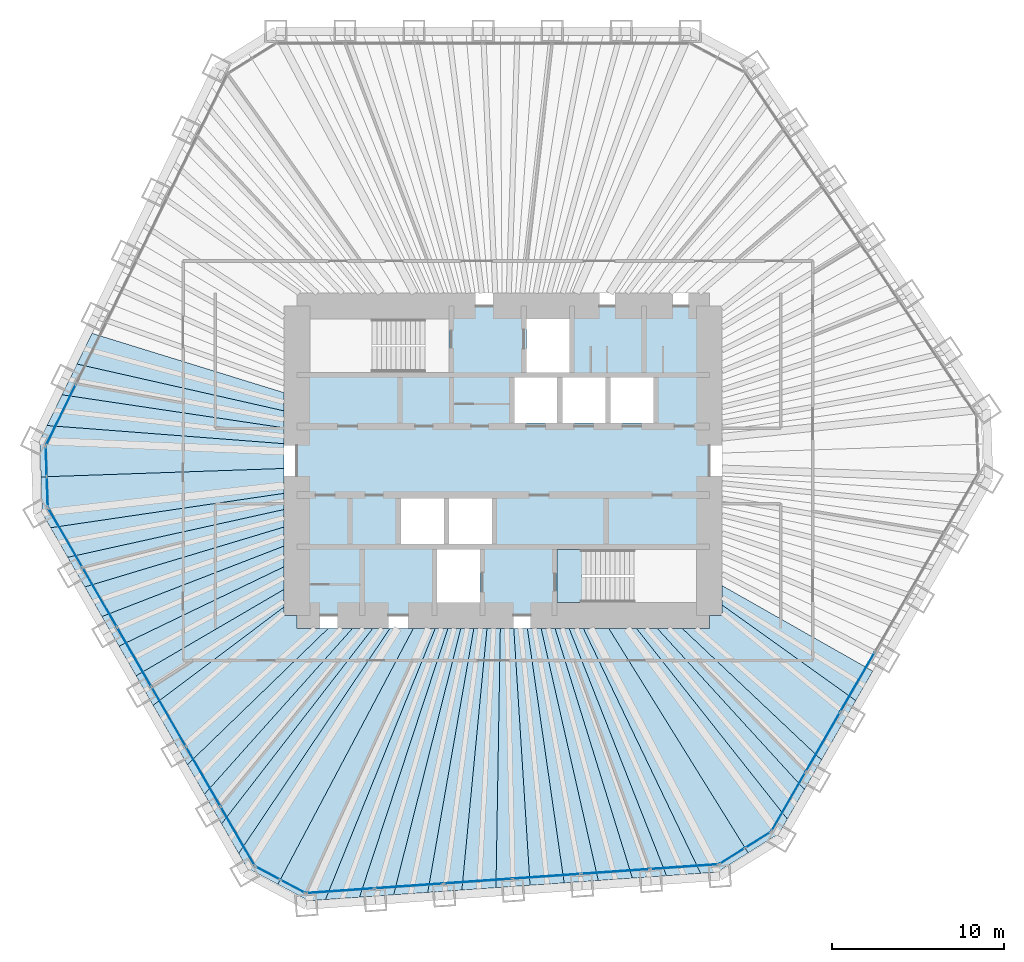
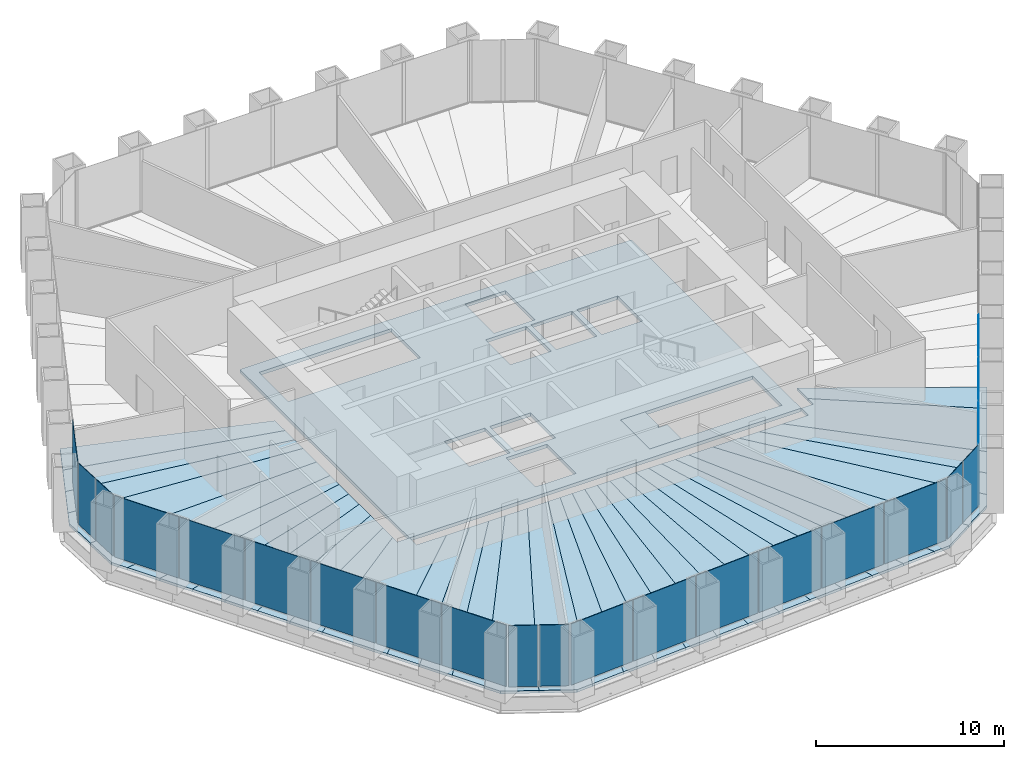
# One storey, part 8 of 13: 36 slabs, 22 plates, 8 elements without a shape of their own.
"""IFC4 building model written with IfcOpenShell, lengths in metres."""

from ifc_helpers import new_model, si_unit, direction, frame, origin, origin_2d, place, context, subcontext, project, spatial, polyline, rectangle, outline, extrude, material, layer, layer_set, type_object, element, aggregate, save


model = new_model("IFC4")

# Units and contexts
model_context = context("Model", 3, precision=1e-05, world=origin(), true_north=direction((0.0, 1.0)))
body_context = subcontext(model_context, "Body", "Model", "MODEL_VIEW")
ifc_project = project(units=[si_unit("LENGTHUNIT", "METRE"), si_unit("AREAUNIT", "SQUARE_METRE"), si_unit("VOLUMEUNIT", "CUBIC_METRE"), si_unit("PLANEANGLEUNIT", "RADIAN"), si_unit("MASSUNIT", "GRAM", prefix="KILO")], contexts=[model_context])

# Site, building, storey
site_placement = place(None, origin())
site = spatial("IfcSite", under=ifc_project, at=site_placement, CompositionType="ELEMENT")
building_placement = place(site_placement, origin())
building = spatial("IfcBuilding", under=site, at=building_placement, Name="Qingtian Harvest Tower", CompositionType="ELEMENT")
storey_placement = place(building_placement, frame((0.0, 0.0, 149.199951171875)))
storey = spatial("IfcBuildingStorey", under=building, at=storey_placement, Name="L31", CompositionType="ELEMENT", Elevation=149.199951171875)

# Slabs
ifc_material_1 = material(Name="Concrete fc' 35 MPa", Category="concrete")
ifc_layer_1 = layer(ifc_material_1, 0.169921875)
ifc_layer_set_1 = layer_set([ifc_layer_1], Name="Composite floor slab FS17 170")
slab_type_1 = type_object("IfcSlabType", Name="Composite floor slab FS17 170", PredefinedType="FLOOR", material=ifc_layer_set_1)
slab_1_placement = place(storey_placement, frame((0.0, 0.0, -0.169921875)))
element("IfcSlab", 1, at=slab_1_placement, inside=storey, type_object=slab_type_1, Name="Floor slab L31 panel D01", PredefinedType="FLOOR", context=body_context, shape_type="SweptSolid", body=[
    extrude(outline(polyline([(-26.8935546875, -0.939208984375), (-12.75, -0.447998046875), (-12.75, -1.89599609375), (-26.333984375, -3.8984375), (-26.819580078125, -3.056884765625), (-26.8935546875, -0.939208984375)])), origin(), (0.0, 0.0, 1.0), 0.169921875),
])
slab_2_placement = place(storey_placement, frame((0.0, 0.0, -0.169921875)))
element("IfcSlab", 2, at=slab_2_placement, inside=storey, type_object=slab_type_1, Name="Floor slab L31 panel D02", PredefinedType="FLOOR", context=body_context, shape_type="SweptSolid", body=[
    extrude(outline(polyline([(-12.75, -2.838134765625), (-25.3388671875, -5.62158203125), (-26.333984375, -3.8984375), (-12.75, -1.89599609375), (-12.75, -2.838134765625)])), origin(), (0.0, 0.0, 1.0), 0.169921875),
])
slab_3_placement = place(storey_placement, frame((0.0, 0.0, -0.169921875)))
element("IfcSlab", 3, at=slab_3_placement, inside=storey, type_object=slab_type_1, Name="Floor slab L31 panel D03", PredefinedType="FLOOR", context=body_context, shape_type="SweptSolid", body=[
    extrude(outline(polyline([(-12.75, -3.857666015625), (-24.343994140625, -7.344970703125), (-25.3388671875, -5.62158203125), (-12.75, -2.838134765625), (-12.75, -3.857666015625)])), origin(), (0.0, 0.0, 1.0), 0.169921875),
])
slab_4_placement = place(storey_placement, frame((0.0, 0.0, -0.169921875)))
element("IfcSlab", 4, at=slab_4_placement, inside=storey, type_object=slab_type_1, Name="Floor slab L31 panel D04", PredefinedType="FLOOR", context=body_context, shape_type="SweptSolid", body=[
    extrude(outline(polyline([(-12.75, -4.9638671875), (-23.34912109375, -9.068115234375), (-24.343994140625, -7.344970703125), (-12.75, -3.857666015625), (-12.75, -4.9638671875)])), origin(), (0.0, 0.0, 1.0), 0.169921875),
])
slab_5_placement = place(storey_placement, frame((0.0, 0.0, -0.169921875)))
element("IfcSlab", 5, at=slab_5_placement, inside=storey, type_object=slab_type_1, Name="Floor slab L31 panel D05", PredefinedType="FLOOR", context=body_context, shape_type="SweptSolid", body=[
    extrude(outline(polyline([(-12.75, -6.1689453125), (-22.354248046875, -10.79150390625), (-23.34912109375, -9.068115234375), (-12.75, -4.9638671875), (-12.75, -6.1689453125)])), origin(), (0.0, 0.0, 1.0), 0.169921875),
])
slab_6_placement = place(storey_placement, frame((0.0, 0.0, -0.169921875)))
element("IfcSlab", 6, at=slab_6_placement, inside=storey, type_object=slab_type_1, Name="Floor slab L31 panel D06", PredefinedType="FLOOR", context=body_context, shape_type="SweptSolid", body=[
    extrude(outline(polyline([(-12.75, -7.486328125), (-21.359130859375, -12.5146484375), (-22.354248046875, -10.79150390625), (-12.75, -6.1689453125), (-12.75, -7.486328125)])), origin(), (0.0, 0.0, 1.0), 0.169921875),
])
slab_7_placement = place(storey_placement, frame((0.0, 0.0, -0.169921875)))
element("IfcSlab", 7, at=slab_7_placement, inside=storey, type_object=slab_type_1, Name="Floor slab L31 panel D07", PredefinedType="FLOOR", context=body_context, shape_type="SweptSolid", body=[
    extrude(outline(polyline([(-12.75, -8.512451171875), (-20.36865234375, -14.23046875), (-21.359130859375, -12.5146484375), (-12.75, -7.486328125), (-12.75, -8.512451171875)])), origin(), (0.0, 0.0, 1.0), 0.169921875),
])
slab_8_placement = place(storey_placement, frame((0.0, 0.0, -0.169921875)))
element("IfcSlab", 8, at=slab_8_placement, inside=storey, type_object=slab_type_1, Name="Floor slab L31 panel D09", PredefinedType="FLOOR", context=body_context, shape_type="SweptSolid", body=[
    extrude(outline(polyline([(-18.375, -17.683837890625), (-20.36865234375, -14.23046875), (-12.75, -8.512451171875), (-12.75, -9.0), (-12.0, -9.0), (-12.0, -9.75), (-10.168212890625, -9.75), (-18.375, -17.683837890625)])), origin(), (0.0, 0.0, 1.0), 0.169921875),
])
slab_9_placement = place(storey_placement, frame((0.0, 0.0, -0.169921875)))
element("IfcSlab", 9, at=slab_9_placement, inside=storey, type_object=slab_type_1, Name="Floor slab L31 panel D10", PredefinedType="FLOOR", context=body_context, shape_type="SweptSolid", body=[
    extrude(outline(polyline([(-8.759521484375, -9.75), (-17.3798828125, -19.4072265625), (-18.375, -17.683837890625), (-10.168212890625, -9.75), (-8.759521484375, -9.75)])), origin(), (0.0, 0.0, 1.0), 0.169921875),
])
slab_10_placement = place(storey_placement, frame((0.0, 0.0, -0.169921875)))
element("IfcSlab", 10, at=slab_10_placement, inside=storey, type_object=slab_type_1, Name="Floor slab L31 panel D11", PredefinedType="FLOOR", context=body_context, shape_type="SweptSolid", body=[
    extrude(outline(polyline([(-7.58203125, -9.75), (-16.385009765625, -21.13037109375), (-17.3798828125, -19.4072265625), (-8.759521484375, -9.75), (-7.58203125, -9.75)])), origin(), (0.0, 0.0, 1.0), 0.169921875),
])
slab_11_placement = place(storey_placement, frame((0.0, 0.0, -0.169921875)))
element("IfcSlab", 11, at=slab_11_placement, inside=storey, type_object=slab_type_1, Name="Floor slab L31 panel D12", PredefinedType="FLOOR", context=body_context, shape_type="SweptSolid", body=[
    extrude(outline(polyline([(-6.5830078125, -9.75), (-15.389892578125, -22.853759765625), (-16.385009765625, -21.13037109375), (-7.58203125, -9.75), (-6.5830078125, -9.75)])), origin(), (0.0, 0.0, 1.0), 0.169921875),
])
slab_12_placement = place(storey_placement, frame((0.0, 0.0, -0.169921875)))
element("IfcSlab", 12, at=slab_12_placement, inside=storey, type_object=slab_type_1, Name="Floor slab L31 panel D13", PredefinedType="FLOOR", context=body_context, shape_type="SweptSolid", body=[
    extrude(outline(polyline([(-6.5830078125, -9.75), (-5.21875, -9.75), (-13.107421875, -24.650634765625), (-14.904052734375, -23.6953125), (-15.389892578125, -22.853759765625), (-6.5830078125, -9.75)])), origin(), (0.0, 0.0, 1.0), 0.169921875),
])
slab_13_placement = place(storey_placement, frame((0.0, 0.0, -0.169921875)))
element("IfcSlab", 13, at=slab_13_placement, inside=storey, type_object=slab_type_1, Name="Floor slab L31 panel D14", PredefinedType="FLOOR", context=body_context, shape_type="SweptSolid", body=[
    extrude(outline(polyline([(-5.21875, -9.75), (-3.947021484375, -9.75), (-10.3408203125, -25.53857421875), (-11.31005859375, -25.606201171875), (-13.107421875, -24.650634765625), (-5.21875, -9.75)])), origin(), (0.0, 0.0, 1.0), 0.169921875),
])
slab_14_placement = place(storey_placement, frame((0.0, 0.0, -0.169921875)))
element("IfcSlab", 14, at=slab_14_placement, inside=storey, type_object=slab_type_1, Name="Floor slab L31 panel D15", PredefinedType="FLOOR", context=body_context, shape_type="SweptSolid", body=[
    extrude(outline(polyline([(-3.20654296875, -9.75), (-8.35595703125, -25.399658203125), (-10.3408203125, -25.53857421875), (-3.947021484375, -9.75), (-3.20654296875, -9.75)])), origin(), (0.0, 0.0, 1.0), 0.169921875),
])
slab_15_placement = place(storey_placement, frame((0.0, 0.0, -0.169921875)))
element("IfcSlab", 15, at=slab_15_placement, inside=storey, type_object=slab_type_1, Name="Floor slab L31 panel D16", PredefinedType="FLOOR", context=body_context, shape_type="SweptSolid", body=[
    extrude(outline(polyline([(-2.4580078125, -9.75), (-6.370849609375, -25.260986328125), (-8.35595703125, -25.399658203125), (-3.20654296875, -9.75), (-2.4580078125, -9.75)])), origin(), (0.0, 0.0, 1.0), 0.169921875),
])
slab_16_placement = place(storey_placement, frame((0.0, 0.0, -0.169921875)))
element("IfcSlab", 16, at=slab_16_placement, inside=storey, type_object=slab_type_1, Name="Floor slab L31 panel D17", PredefinedType="FLOOR", context=body_context, shape_type="SweptSolid", body=[
    extrude(outline(polyline([(-1.701171875, -9.75), (-4.385986328125, -25.1220703125), (-6.370849609375, -25.260986328125), (-2.4580078125, -9.75), (-1.701171875, -9.75)])), origin(), (0.0, 0.0, 1.0), 0.169921875),
])
slab_17_placement = place(storey_placement, frame((0.0, 0.0, -0.169921875)))
element("IfcSlab", 17, at=slab_17_placement, inside=storey, type_object=slab_type_1, Name="Floor slab L31 panel D18", PredefinedType="FLOOR", context=body_context, shape_type="SweptSolid", body=[
    extrude(outline(polyline([(-0.93603515625, -9.75), (-2.40087890625, -24.9833984375), (-4.385986328125, -25.1220703125), (-1.701171875, -9.75), (-0.93603515625, -9.75)])), origin(), (0.0, 0.0, 1.0), 0.169921875),
])
slab_18_placement = place(storey_placement, frame((0.0, 0.0, -0.169921875)))
element("IfcSlab", 18, at=slab_18_placement, inside=storey, type_object=slab_type_1, Name="Floor slab L31 panel D19", PredefinedType="FLOOR", context=body_context, shape_type="SweptSolid", body=[
    extrude(outline(polyline([(-0.162109375, -9.75), (-0.416015625, -24.844482421875), (-2.40087890625, -24.9833984375), (-0.93603515625, -9.75), (-0.162109375, -9.75)])), origin(), (0.0, 0.0, 1.0), 0.169921875),
])
slab_19_placement = place(storey_placement, frame((0.0, 0.0, -0.169921875)))
element("IfcSlab", 19, at=slab_19_placement, inside=storey, type_object=slab_type_1, Name="Floor slab L31 panel D20", PredefinedType="FLOOR", context=body_context, shape_type="SweptSolid", body=[
    extrude(outline(polyline([(0.620361328125, -9.75), (1.569091796875, -24.705810546875), (-0.416015625, -24.844482421875), (-0.162109375, -9.75), (0.620361328125, -9.75)])), origin(), (0.0, 0.0, 1.0), 0.169921875),
])
slab_20_placement = place(storey_placement, frame((0.0, 0.0, -0.169921875)))
element("IfcSlab", 20, at=slab_20_placement, inside=storey, type_object=slab_type_1, Name="Floor slab L31 panel D21", PredefinedType="FLOOR", context=body_context, shape_type="SweptSolid", body=[
    extrude(outline(polyline([(1.41162109375, -9.75), (3.553955078125, -24.56689453125), (1.569091796875, -24.705810546875), (0.620361328125, -9.75), (1.41162109375, -9.75)])), origin(), (0.0, 0.0, 1.0), 0.169921875),
])
slab_21_placement = place(storey_placement, frame((0.0, 0.0, -0.169921875)))
element("IfcSlab", 21, at=slab_21_placement, inside=storey, type_object=slab_type_1, Name="Floor slab L31 panel D22", PredefinedType="FLOOR", context=body_context, shape_type="SweptSolid", body=[
    extrude(outline(polyline([(2.2119140625, -9.75), (5.5390625, -24.42822265625), (3.553955078125, -24.56689453125), (1.41162109375, -9.75), (2.2119140625, -9.75)])), origin(), (0.0, 0.0, 1.0), 0.169921875),
])
slab_22_placement = place(storey_placement, frame((0.0, 0.0, -0.169921875)))
element("IfcSlab", 22, at=slab_22_placement, inside=storey, type_object=slab_type_1, Name="Floor slab L31 panel D23", PredefinedType="FLOOR", context=body_context, shape_type="SweptSolid", body=[
    extrude(outline(polyline([(3.021484375, -9.75), (7.524169921875, -24.289306640625), (5.5390625, -24.42822265625), (2.2119140625, -9.75), (3.021484375, -9.75)])), origin(), (0.0, 0.0, 1.0), 0.169921875),
])
slab_23_placement = place(storey_placement, frame((0.0, 0.0, -0.169921875)))
element("IfcSlab", 23, at=slab_23_placement, inside=storey, type_object=slab_type_1, Name="Floor slab L31 panel D24", PredefinedType="FLOOR", context=body_context, shape_type="SweptSolid", body=[
    extrude(outline(polyline([(3.840087890625, -9.75), (9.509033203125, -24.150390625), (7.524169921875, -24.289306640625), (3.021484375, -9.75), (3.840087890625, -9.75)])), origin(), (0.0, 0.0, 1.0), 0.169921875),
])
slab_24_placement = place(storey_placement, frame((0.0, 0.0, -0.169921875)))
element("IfcSlab", 24, at=slab_24_placement, inside=storey, type_object=slab_type_1, Name="Floor slab L31 panel D25", PredefinedType="FLOOR", context=body_context, shape_type="SweptSolid", body=[
    extrude(outline(polyline([(4.66845703125, -9.75), (11.494140625, -24.01171875), (9.509033203125, -24.150390625), (3.840087890625, -9.75), (4.66845703125, -9.75)])), origin(), (0.0, 0.0, 1.0), 0.169921875),
])
slab_25_placement = place(storey_placement, frame((0.0, 0.0, -0.169921875)))
element("IfcSlab", 25, at=slab_25_placement, inside=storey, type_object=slab_type_1, Name="Floor slab L31 panel D26", PredefinedType="FLOOR", context=body_context, shape_type="SweptSolid", body=[
    extrude(outline(polyline([(4.66845703125, -9.75), (6.14404296875, -9.75), (14.2607421875, -22.820556640625), (12.463134765625, -23.94384765625), (11.494140625, -24.01171875), (4.66845703125, -9.75)])), origin(), (0.0, 0.0, 1.0), 0.169921875),
])
slab_26_placement = place(storey_placement, frame((0.0, 0.0, -0.169921875)))
element("IfcSlab", 26, at=slab_26_placement, inside=storey, type_object=slab_type_1, Name="Floor slab L31 panel D27", PredefinedType="FLOOR", context=body_context, shape_type="SweptSolid", body=[
    extrude(outline(polyline([(6.14404296875, -9.75), (7.756103515625, -9.75), (16.543212890625, -20.8564453125), (16.05712890625, -21.697998046875), (14.2607421875, -22.820556640625), (6.14404296875, -9.75)])), origin(), (0.0, 0.0, 1.0), 0.169921875),
])
slab_27_placement = place(storey_placement, frame((0.0, 0.0, -0.169921875)))
element("IfcSlab", 27, at=slab_27_placement, inside=storey, type_object=slab_type_1, Name="Floor slab L31 panel D28", PredefinedType="FLOOR", context=body_context, shape_type="SweptSolid", body=[
    extrude(outline(polyline([(8.966552734375, -9.75), (17.5380859375, -19.133056640625), (16.543212890625, -20.8564453125), (7.756103515625, -9.75), (8.966552734375, -9.75)])), origin(), (0.0, 0.0, 1.0), 0.169921875),
])
slab_28_placement = place(storey_placement, frame((0.0, 0.0, -0.169921875)))
element("IfcSlab", 28, at=slab_28_placement, inside=storey, type_object=slab_type_1, Name="Floor slab L31 panel D29", PredefinedType="FLOOR", context=body_context, shape_type="SweptSolid", body=[
    extrude(outline(polyline([(10.41796875, -9.75), (18.532958984375, -17.40966796875), (17.5380859375, -19.133056640625), (8.966552734375, -9.75), (10.41796875, -9.75)])), origin(), (0.0, 0.0, 1.0), 0.169921875),
])
slab_29_placement = place(storey_placement, frame((0.0, 0.0, -0.169921875)))
element("IfcSlab", 29, at=slab_29_placement, inside=storey, type_object=slab_type_1, Name="Floor slab L31 panel D31", PredefinedType="FLOOR", context=body_context, shape_type="SweptSolid", body=[
    extrude(outline(polyline([(12.75, -8.398681640625), (20.525390625, -13.958740234375), (18.532958984375, -17.40966796875), (10.41796875, -9.75), (12.0, -9.75), (12.0, -9.0), (12.75, -9.0), (12.75, -8.398681640625)])), origin(), (0.0, 0.0, 1.0), 0.169921875),
])
slab_30_placement = place(storey_placement, frame((0.0, 0.0, -0.169921875)))
element("IfcSlab", 30, at=slab_30_placement, inside=storey, type_object=slab_type_1, Name="Floor slab L31 panel D32", PredefinedType="FLOOR", context=body_context, shape_type="SweptSolid", body=[
    extrude(outline(polyline([(12.75, -7.268798828125), (21.517333984375, -12.24072265625), (20.525390625, -13.958740234375), (12.75, -8.398681640625), (12.75, -7.268798828125)])), origin(), (0.0, 0.0, 1.0), 0.169921875),
])
slab_31_placement = place(storey_placement, frame((0.0, 0.0, -0.169921875)))
element("IfcSlab", 31, at=slab_31_placement, inside=storey, type_object=slab_type_1, Name="Floor slab L31 panel D75", PredefinedType="FLOOR", context=body_context, shape_type="SweptSolid", body=[
    extrude(outline(polyline([(-12.75, 2.903076171875), (-24.797119140625, 5.62890625), (-23.9248046875, 7.417236328125), (-12.75, 3.962646484375), (-12.75, 2.903076171875)])), origin(), (0.0, 0.0, 1.0), 0.169921875),
])
slab_32_placement = place(storey_placement, frame((0.0, 0.0, -0.169921875)))
element("IfcSlab", 32, at=slab_32_placement, inside=storey, type_object=slab_type_1, Name="Floor slab L31 panel D76", PredefinedType="FLOOR", context=body_context, shape_type="SweptSolid", body=[
    extrude(outline(polyline([(-12.75, 1.91552734375), (-25.66943359375, 3.84033203125), (-24.797119140625, 5.62890625), (-12.75, 2.903076171875), (-12.75, 1.91552734375)])), origin(), (0.0, 0.0, 1.0), 0.169921875),
])
slab_33_placement = place(storey_placement, frame((0.0, 0.0, -0.169921875)))
element("IfcSlab", 33, at=slab_33_placement, inside=storey, type_object=slab_type_1, Name="Floor slab L31 panel D77", PredefinedType="FLOOR", context=body_context, shape_type="SweptSolid", body=[
    extrude(outline(polyline([(-12.75, 0.992919921875), (-26.541748046875, 2.0517578125), (-25.66943359375, 3.84033203125), (-12.75, 1.91552734375), (-12.75, 0.992919921875)])), origin(), (0.0, 0.0, 1.0), 0.169921875),
])
slab_34_placement = place(storey_placement, frame((0.0, 0.0, -0.169921875)))
element("IfcSlab", 34, at=slab_34_placement, inside=storey, type_object=slab_type_1, Name="Floor slab L31 panel D78", PredefinedType="FLOOR", context=body_context, shape_type="SweptSolid", body=[
    extrude(outline(polyline([(-12.75, 0.992919921875), (-12.75, -0.447998046875), (-26.8935546875, -0.939208984375), (-26.967529296875, 1.1787109375), (-26.541748046875, 2.0517578125), (-12.75, 0.992919921875)])), origin(), (0.0, 0.0, 1.0), 0.169921875),
])
ifc_material_2 = material(Name="Concrete fc' 35 MPa", Category="concrete")
ifc_layer_2 = layer(ifc_material_2, 0.219970703125)
ifc_layer_set_2 = layer_set([ifc_layer_2], Name="Core floor slab CS22 220")
slab_type_2 = type_object("IfcSlabType", Name="Core floor slab CS22 220", PredefinedType="FLOOR", material=ifc_layer_set_2)
slab_35_placement = place(storey_placement, frame((0.0, 0.0, -0.219970703125)))
element("IfcSlab", 35, at=slab_35_placement, inside=storey, type_object=slab_type_2, Name="Core floor slab L31", PredefinedType="FLOOR", context=body_context, shape_type="SweptSolid", body=[
    extrude(outline(polyline([(-12.0, -9.0), (12.0, -9.0), (12.0, 9.0), (-12.0, 9.0), (-12.0, -9.0)]), holes=[polyline([(-11.25, 5.14990234375), (-3.14990234375, 5.14990234375), (-3.14990234375, 8.25), (-11.25, 8.25), (-11.25, 5.14990234375)]), polyline([(3.14990234375, -8.25), (11.25, -8.25), (11.25, -5.14990234375), (3.14990234375, -5.14990234375), (3.14990234375, -8.25)]), polyline([(1.35009765625, 5.14990234375), (3.85009765625, 5.14990234375), (3.85009765625, 8.25), (1.35009765625, 8.25), (1.35009765625, 5.14990234375)]), polyline([(-3.85009765625, -8.25), (-1.35009765625, -8.25), (-1.35009765625, -5.14990234375), (-3.85009765625, -5.14990234375), (-3.85009765625, -8.25)]), polyline([(0.64990234375, 2.199951171875), (3.14990234375, 2.199951171875), (3.14990234375, 4.85009765625), (0.64990234375, 4.85009765625), (0.64990234375, 2.199951171875)]), polyline([(3.449951171875, 2.199951171875), (5.949951171875, 2.199951171875), (5.949951171875, 4.85009765625), (3.449951171875, 4.85009765625), (3.449951171875, 2.199951171875)]), polyline([(6.25, 2.199951171875), (8.75, 2.199951171875), (8.75, 4.85009765625), (6.25, 4.85009765625), (6.25, 2.199951171875)]), polyline([(-5.949951171875, -4.85009765625), (-3.449951171875, -4.85009765625), (-3.449951171875, -2.199951171875), (-5.949951171875, -2.199951171875), (-5.949951171875, -4.85009765625)]), polyline([(-3.14990234375, -4.85009765625), (-0.64990234375, -4.85009765625), (-0.64990234375, -2.199951171875), (-3.14990234375, -2.199951171875), (-3.14990234375, -4.85009765625)])]), origin(), (0.0, 0.0, 1.0), 0.219970703125),
])

# Curtain wall, plates
ifc_material_3 = material(Name="Bronze-anodised aluminium curtain wall", Category="aluminium")
curtain_wall_type = type_object("IfcCurtainWallType", Name="Curtain wall CW4 office", PredefinedType="USERDEFINED", material=ifc_material_3)
curtain_wall_1_placement = place(storey_placement, origin())
curtain_wall_1 = element("IfcCurtainWall", 36, at=curtain_wall_1_placement, inside=storey, type_object=curtain_wall_type, Name="Curtain wall CW4 L31 SE0-5", ObjectType="RECESSED CURTAIN WALL", PredefinedType="USERDEFINED")
ifc_material_4 = material(Name="Bronze-tinted laminated insulating glass", Category="glass")
ifc_layer_3 = layer(ifc_material_4, 0.030029296875)
ifc_layer_set_3 = layer_set([ifc_layer_3], Name="Glazed panel CWP tinted IGU")
plate_type = type_object("IfcPlateType", Name="Glazed panel CWP tinted IGU", PredefinedType="CURTAIN_PANEL", material=ifc_layer_set_3)
plate_1_placement = place(storey_placement, frame((20.621826171875, -12.8818359375, 0.06494140625), z_axis=(0.0, 0.0, 1.0), x_axis=(-0.5, -0.866025403784, 0.0)))
plate_1 = element("IfcPlate", 37, at=plate_1_placement, type_object=plate_type, Name="CW4 panel 4.1", PredefinedType="CURTAIN_PANEL", context=body_context, shape_type="SweptSolid", body=[
    extrude(rectangle(XDim=3.9541015625, YDim=0.030029296875, at=origin_2d()), origin(), (0.0, 0.0, 1.0), 3.965087890625),
])
plate_2_placement = place(storey_placement, frame((18.6123046875, -16.362548828125, 0.06494140625), z_axis=(0.0, 0.0, 1.0), x_axis=(-0.5, -0.866025403784, 0.0)))
plate_2 = element("IfcPlate", 38, at=plate_2_placement, type_object=plate_type, Name="CW4 panel 5.1", PredefinedType="CURTAIN_PANEL", context=body_context, shape_type="SweptSolid", body=[
    extrude(rectangle(XDim=3.9541015625, YDim=0.030029296875, at=origin_2d()), origin(), (0.0, 0.0, 1.0), 3.965087890625),
])
plate_3_placement = place(storey_placement, frame((16.61083984375, -19.8291015625, 0.06494140625), z_axis=(0.0, 0.0, 1.0), x_axis=(-0.5, -0.866025403784, 0.0)))
plate_3 = element("IfcPlate", 39, at=plate_3_placement, type_object=plate_type, Name="CW4 panel 6.1", PredefinedType="CURTAIN_PANEL", context=body_context, shape_type="SweptSolid", body=[
    extrude(rectangle(XDim=3.921630859375, YDim=0.030029296875, at=origin_2d()), origin(), (0.0, 0.0, 1.0), 3.965087890625),
])
aggregate(curtain_wall_1, [plate_1, plate_2, plate_3])

curtain_wall_2_placement = place(storey_placement, origin())
curtain_wall_2 = element("IfcCurtainWall", 40, at=curtain_wall_2_placement, inside=storey, type_object=curtain_wall_type, Name="Curtain wall CW4 L31 SEC", ObjectType="RECESSED CURTAIN WALL", PredefinedType="USERDEFINED")
plate_4_placement = place(storey_placement, frame((14.8251953125, -22.06640625, 0.06494140625), z_axis=(0.0, 0.0, 1.0), x_axis=(-0.848048096156, -0.529919264233, 0.0)))
plate_4 = element("IfcPlate", 41, at=plate_4_placement, type_object=plate_type, Name="CW4 panel 1.1", PredefinedType="CURTAIN_PANEL", context=body_context, shape_type="SweptSolid", body=[
    extrude(rectangle(XDim=1.69287109375, YDim=0.030029296875, at=origin_2d()), origin(), (0.0, 0.0, 1.0), 3.965087890625),
])
plate_5_placement = place(storey_placement, frame((13.334228515625, -22.998046875, 0.06494140625), z_axis=(0.0, 0.0, 1.0), x_axis=(-0.848048096156, -0.529919264233, 0.0)))
plate_5 = element("IfcPlate", 42, at=plate_5_placement, type_object=plate_type, Name="CW4 panel 2.1", PredefinedType="CURTAIN_PANEL", context=body_context, shape_type="SweptSolid", body=[
    extrude(rectangle(XDim=1.69287109375, YDim=0.030029296875, at=origin_2d()), origin(), (0.0, 0.0, 1.0), 3.965087890625),
])
aggregate(curtain_wall_2, [plate_4, plate_5])

curtain_wall_3_placement = place(storey_placement, origin())
curtain_wall_3 = element("IfcCurtainWall", 43, at=curtain_wall_3_placement, inside=storey, type_object=curtain_wall_type, Name="Curtain wall CW4 L31 S0-5", ObjectType="RECESSED CURTAIN WALL", PredefinedType="USERDEFINED")
plate_6_placement = place(storey_placement, frame((10.54052734375, -23.622314453125, 0.06494140625), z_axis=(0.0, 0.0, 1.0), x_axis=(-0.99756405026, -0.069756473744, 0.0)))
plate_6 = element("IfcPlate", 44, at=plate_6_placement, type_object=plate_type, Name="CW4 panel 1.1", PredefinedType="CURTAIN_PANEL", context=body_context, shape_type="SweptSolid", body=[
    extrude(rectangle(XDim=3.921630859375, YDim=0.030029296875, at=origin_2d()), origin(), (0.0, 0.0, 1.0), 3.965087890625),
])
plate_7_placement = place(storey_placement, frame((6.54736328125, -23.901611328125, 0.06494140625), z_axis=(0.0, 0.0, 1.0), x_axis=(-0.99756405026, -0.069756473744, 0.0)))
plate_7 = element("IfcPlate", 45, at=plate_7_placement, type_object=plate_type, Name="CW4 panel 2.1", PredefinedType="CURTAIN_PANEL", context=body_context, shape_type="SweptSolid", body=[
    extrude(rectangle(XDim=3.9541015625, YDim=0.030029296875, at=origin_2d()), origin(), (0.0, 0.0, 1.0), 3.965087890625),
])
plate_8_placement = place(storey_placement, frame((2.5380859375, -24.181884765625, 0.06494140625), z_axis=(0.0, 0.0, 1.0), x_axis=(-0.99756405026, -0.069756473744, 0.0)))
plate_8 = element("IfcPlate", 46, at=plate_8_placement, type_object=plate_type, Name="CW4 panel 3.1", PredefinedType="CURTAIN_PANEL", context=body_context, shape_type="SweptSolid", body=[
    extrude(rectangle(XDim=3.9541015625, YDim=0.030029296875, at=origin_2d()), origin(), (0.0, 0.0, 1.0), 3.965087890625),
])
plate_9_placement = place(storey_placement, frame((-1.47119140625, -24.462158203125, 0.06494140625), z_axis=(0.0, 0.0, 1.0), x_axis=(-0.99756405026, -0.069756473744, 0.0)))
plate_9 = element("IfcPlate", 47, at=plate_9_placement, type_object=plate_type, Name="CW4 panel 4.1", PredefinedType="CURTAIN_PANEL", context=body_context, shape_type="SweptSolid", body=[
    extrude(rectangle(XDim=3.9541015625, YDim=0.030029296875, at=origin_2d()), origin(), (0.0, 0.0, 1.0), 3.965087890625),
])
plate_10_placement = place(storey_placement, frame((-5.48046875, -24.74267578125, 0.06494140625), z_axis=(0.0, 0.0, 1.0), x_axis=(-0.99756405026, -0.069756473744, 0.0)))
plate_10 = element("IfcPlate", 48, at=plate_10_placement, type_object=plate_type, Name="CW4 panel 5.1", PredefinedType="CURTAIN_PANEL", context=body_context, shape_type="SweptSolid", body=[
    extrude(rectangle(XDim=3.9541015625, YDim=0.030029296875, at=origin_2d()), origin(), (0.0, 0.0, 1.0), 3.965087890625),
])
plate_11_placement = place(storey_placement, frame((-9.4736328125, -25.021728515625, 0.06494140625), z_axis=(0.0, 0.0, 1.0), x_axis=(-0.99756405026, -0.069756473744, 0.0)))
plate_11 = element("IfcPlate", 49, at=plate_11_placement, type_object=plate_type, Name="CW4 panel 6.1", PredefinedType="CURTAIN_PANEL", context=body_context, shape_type="SweptSolid", body=[
    extrude(rectangle(XDim=3.921630859375, YDim=0.030029296875, at=origin_2d()), origin(), (0.0, 0.0, 1.0), 3.965087890625),
])
aggregate(curtain_wall_3, [plate_6, plate_7, plate_8, plate_9, plate_10, plate_11])

curtain_wall_4_placement = place(storey_placement, origin())
curtain_wall_4 = element("IfcCurtainWall", 50, at=curtain_wall_4_placement, inside=storey, type_object=curtain_wall_type, Name="Curtain wall CW4 L31 SC", ObjectType="RECESSED CURTAIN WALL", PredefinedType="USERDEFINED")
plate_12_placement = place(storey_placement, frame((-12.24365234375, -24.764892578125, 0.06494140625), z_axis=(0.0, 0.0, 1.0), x_axis=(-0.882947592859, 0.469471562786, 0.0)))
plate_12 = element("IfcPlate", 51, at=plate_12_placement, type_object=plate_type, Name="CW4 panel 1.1", PredefinedType="CURTAIN_PANEL", context=body_context, shape_type="SweptSolid", body=[
    extrude(rectangle(XDim=1.56689453125, YDim=0.030029296875, at=origin_2d()), origin(), (0.0, 0.0, 1.0), 3.965087890625),
])
plate_13_placement = place(storey_placement, frame((-13.684326171875, -23.998779296875, 0.06494140625), z_axis=(0.0, 0.0, 1.0), x_axis=(-0.882947592859, 0.469471562786, 0.0)))
plate_13 = element("IfcPlate", 52, at=plate_13_placement, type_object=plate_type, Name="CW4 panel 2.1", PredefinedType="CURTAIN_PANEL", context=body_context, shape_type="SweptSolid", body=[
    extrude(rectangle(XDim=1.56689453125, YDim=0.030029296875, at=origin_2d()), origin(), (0.0, 0.0, 1.0), 3.965087890625),
])
aggregate(curtain_wall_4, [plate_12, plate_13])

curtain_wall_5_placement = place(storey_placement, origin())
curtain_wall_5 = element("IfcCurtainWall", 53, at=curtain_wall_5_placement, inside=storey, type_object=curtain_wall_type, Name="Curtain wall CW4 L31 SW0-5", ObjectType="RECESSED CURTAIN WALL", PredefinedType="USERDEFINED")
plate_14_placement = place(storey_placement, frame((-15.446533203125, -21.845947265625, 0.06494140625), z_axis=(0.0, 0.0, 1.0), x_axis=(-0.5, 0.866025403784, 0.0)))
plate_14 = element("IfcPlate", 54, at=plate_14_placement, type_object=plate_type, Name="CW4 panel 1.1", PredefinedType="CURTAIN_PANEL", context=body_context, shape_type="SweptSolid", body=[
    extrude(rectangle(XDim=3.921630859375, YDim=0.030029296875, at=origin_2d()), origin(), (0.0, 0.0, 1.0), 3.965087890625),
])
plate_15_placement = place(storey_placement, frame((-17.44775390625, -18.37939453125, 0.06494140625), z_axis=(0.0, 0.0, 1.0), x_axis=(-0.5, 0.866025403784, 0.0)))
plate_15 = element("IfcPlate", 55, at=plate_15_placement, type_object=plate_type, Name="CW4 panel 2.1", PredefinedType="CURTAIN_PANEL", context=body_context, shape_type="SweptSolid", body=[
    extrude(rectangle(XDim=3.9541015625, YDim=0.030029296875, at=origin_2d()), origin(), (0.0, 0.0, 1.0), 3.965087890625),
])
plate_16_placement = place(storey_placement, frame((-19.45751953125, -14.898681640625, 0.06494140625), z_axis=(0.0, 0.0, 1.0), x_axis=(-0.5, 0.866025403784, 0.0)))
plate_16 = element("IfcPlate", 56, at=plate_16_placement, type_object=plate_type, Name="CW4 panel 3.1", PredefinedType="CURTAIN_PANEL", context=body_context, shape_type="SweptSolid", body=[
    extrude(rectangle(XDim=3.9541015625, YDim=0.030029296875, at=origin_2d()), origin(), (0.0, 0.0, 1.0), 3.965087890625),
])
plate_17_placement = place(storey_placement, frame((-21.467041015625, -11.418212890625, 0.06494140625), z_axis=(0.0, 0.0, 1.0), x_axis=(-0.5, 0.866025403784, 0.0)))
plate_17 = element("IfcPlate", 57, at=plate_17_placement, type_object=plate_type, Name="CW4 panel 4.1", PredefinedType="CURTAIN_PANEL", context=body_context, shape_type="SweptSolid", body=[
    extrude(rectangle(XDim=3.9541015625, YDim=0.030029296875, at=origin_2d()), origin(), (0.0, 0.0, 1.0), 3.965087890625),
])
plate_18_placement = place(storey_placement, frame((-23.4765625, -7.9375, 0.06494140625), z_axis=(0.0, 0.0, 1.0), x_axis=(-0.5, 0.866025403784, 0.0)))
plate_18 = element("IfcPlate", 58, at=plate_18_placement, type_object=plate_type, Name="CW4 panel 5.1", PredefinedType="CURTAIN_PANEL", context=body_context, shape_type="SweptSolid", body=[
    extrude(rectangle(XDim=3.9541015625, YDim=0.030029296875, at=origin_2d()), origin(), (0.0, 0.0, 1.0), 3.965087890625),
])
plate_19_placement = place(storey_placement, frame((-25.477783203125, -4.470947265625, 0.06494140625), z_axis=(0.0, 0.0, 1.0), x_axis=(-0.5, 0.866025403784, 0.0)))
plate_19 = element("IfcPlate", 59, at=plate_19_placement, type_object=plate_type, Name="CW4 panel 6.1", PredefinedType="CURTAIN_PANEL", context=body_context, shape_type="SweptSolid", body=[
    extrude(rectangle(XDim=3.921630859375, YDim=0.030029296875, at=origin_2d()), origin(), (0.0, 0.0, 1.0), 3.965087890625),
])
aggregate(curtain_wall_5, [plate_14, plate_15, plate_16, plate_17, plate_18, plate_19])

curtain_wall_6_placement = place(storey_placement, origin())
curtain_wall_6 = element("IfcCurtainWall", 60, at=curtain_wall_6_placement, inside=storey, type_object=curtain_wall_type, Name="Curtain wall CW4 L31 SWC", ObjectType="RECESSED CURTAIN WALL", PredefinedType="USERDEFINED")
plate_20_placement = place(storey_placement, frame((-26.522705078125, -1.8056640625, 0.06494140625), z_axis=(0.0, 0.0, 1.0), x_axis=(-0.034899496703, 0.999390827019, 0.0)))
plate_20 = element("IfcPlate", 61, at=plate_20_placement, type_object=plate_type, Name="CW4 panel 1.1", PredefinedType="CURTAIN_PANEL", context=body_context, shape_type="SweptSolid", body=[
    extrude(rectangle(XDim=1.69287109375, YDim=0.030029296875, at=origin_2d()), origin(), (0.0, 0.0, 1.0), 3.965087890625),
])
plate_21_placement = place(storey_placement, frame((-26.583984375, -0.048828125, 0.06494140625), z_axis=(0.0, 0.0, 1.0), x_axis=(-0.034899496703, 0.999390827019, 0.0)))
plate_21 = element("IfcPlate", 62, at=plate_21_placement, type_object=plate_type, Name="CW4 panel 2.1", PredefinedType="CURTAIN_PANEL", context=body_context, shape_type="SweptSolid", body=[
    extrude(rectangle(XDim=1.69287109375, YDim=0.030029296875, at=origin_2d()), origin(), (0.0, 0.0, 1.0), 3.965087890625),
])
aggregate(curtain_wall_6, [plate_20, plate_21])

# Curtain wall, plate
curtain_wall_7_placement = place(storey_placement, origin())
curtain_wall_7 = element("IfcCurtainWall", 63, at=curtain_wall_7_placement, inside=storey, type_object=curtain_wall_type, Name="Curtain wall CW4 L31 NW0-5", ObjectType="RECESSED CURTAIN WALL", PredefinedType="USERDEFINED")
plate_22_placement = place(storey_placement, frame((-25.727783203125, 2.682861328125, 0.06494140625), z_axis=(0.0, 0.0, 1.0), x_axis=(0.438371146789, 0.898794046299, 0.0)))
plate_22 = element("IfcPlate", 64, at=plate_22_placement, type_object=plate_type, Name="CW4 panel 1.1", PredefinedType="CURTAIN_PANEL", context=body_context, shape_type="SweptSolid", body=[
    extrude(rectangle(XDim=3.921630859375, YDim=0.030029296875, at=origin_2d()), origin(), (0.0, 0.0, 1.0), 3.965087890625),
])
aggregate(curtain_wall_7, [plate_22])

# Stair, slab
ifc_material_5 = material(Name="Concrete fc' 35 MPa", Category="concrete")
stair_type = type_object("IfcStairType", Name="Special stair ST3 4200", PredefinedType="HALF_TURN_STAIR", material=ifc_material_5)
stair_placement = place(storey_placement, origin())
stair = element("IfcStair", 65, at=stair_placement, inside=storey, type_object=stair_type, Name="Special stair S2 L31", PredefinedType="HALF_TURN_STAIR")
ifc_material_6 = material(Name="Concrete fc' 35 MPa", Category="concrete")
ifc_layer_4 = layer(ifc_material_6, 0.199951171875)
ifc_layer_set_4 = layer_set([ifc_layer_4], Name="Stair landing SL2 200")
slab_type_3 = type_object("IfcSlabType", Name="Stair landing SL2 200", PredefinedType="LANDING", material=ifc_layer_set_4)
slab_36_placement = place(storey_placement, frame((0.0, 0.0, -0.199951171875)))
slab_36 = element("IfcSlab", 66, at=slab_36_placement, type_object=slab_type_3, Name="S2 landing 1", PredefinedType="LANDING", context=body_context, shape_type="SweptSolid", body=[
    extrude(outline(polyline([(5.0849609375, -8.25), (3.14990234375, -8.25), (3.14990234375, -5.14990234375), (4.64990234375, -5.14990234375), (4.64990234375, -6.64990234375), (4.550048828125, -6.64990234375), (4.550048828125, -6.75), (5.0849609375, -6.75), (5.0849609375, -8.25)])), origin(), (0.0, 0.0, 1.0), 0.199951171875),
])
aggregate(stair, [slab_36])

save(model, "model.ifc")
